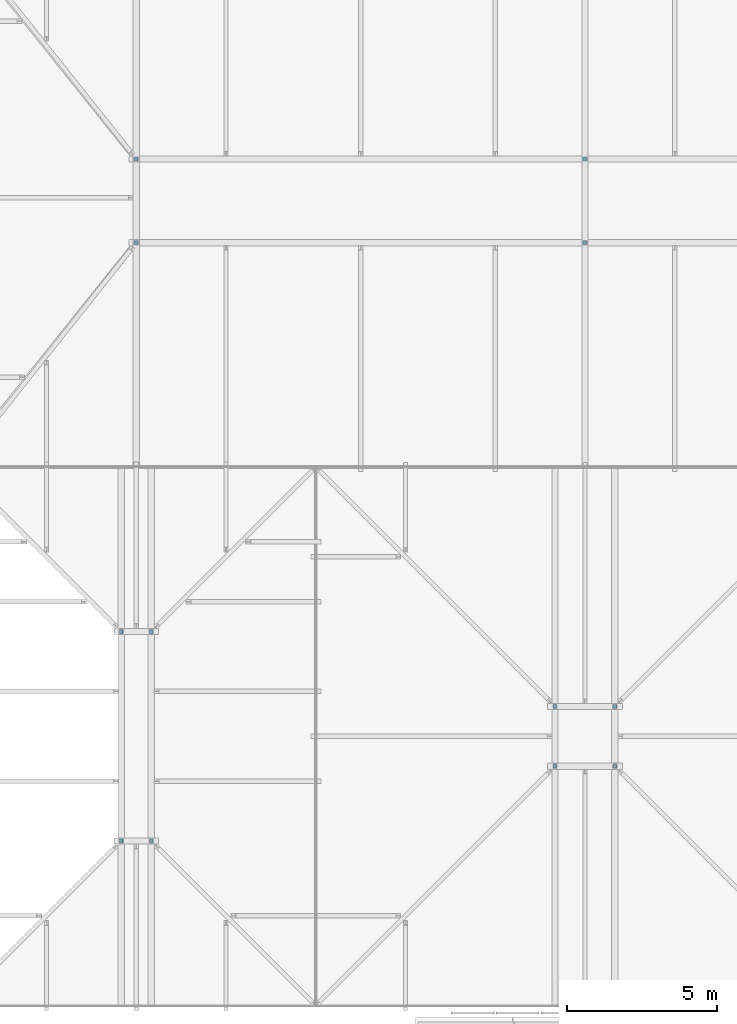
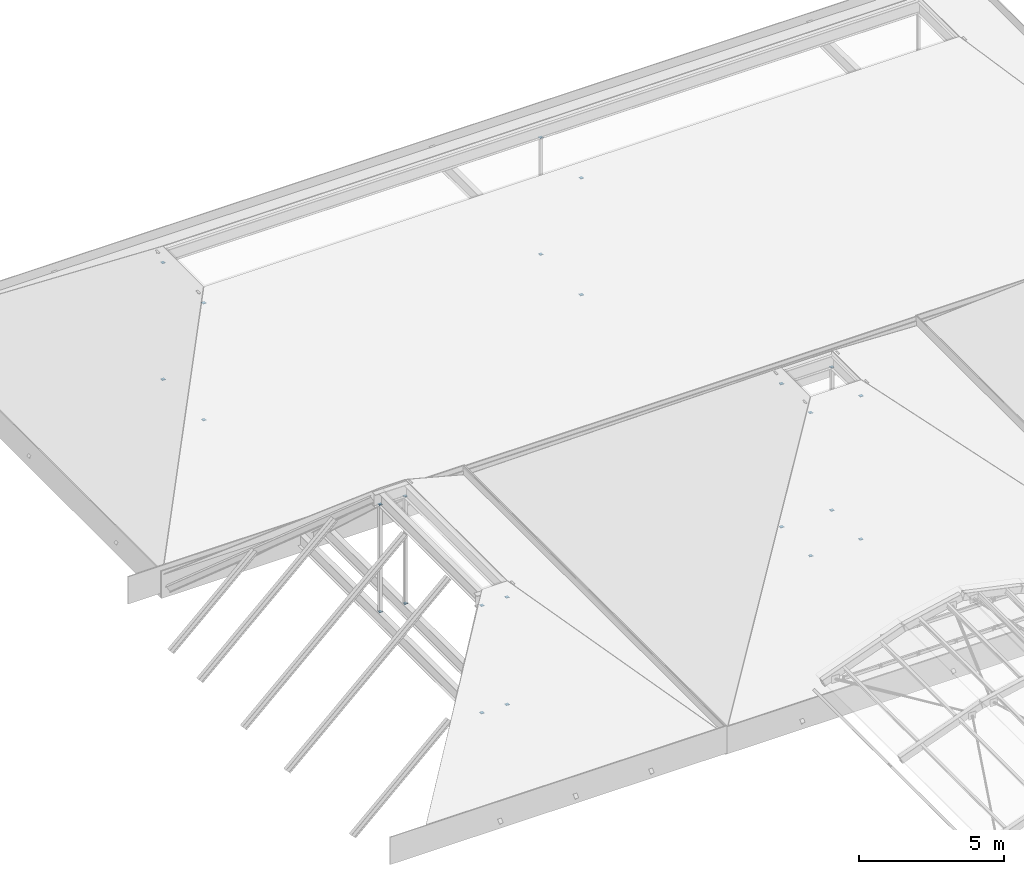
# One storey, part 54 of 57: 24 discrete accessories.
"""IFC4 building model written with IfcOpenShell, lengths in metres."""

import ifcopenshell
import ifcopenshell.guid

model = None  # the IFC model being written
_history = None  # IfcOwnerHistory: only IFC2X3 demands one
_inside = {}  # id of a spatial element -> (the spatial element, [elements in it])
_under = {}  # id of a project, library or spatial element -> (it, [spatial elements below it])
_declared = {}  # id of a project -> (the project, [libraries it declares])
_typed = {}  # id of a type object -> (the type object, [elements of that type])
_made_of = {}  # id of a material, layer set ... -> (it, [elements and type objects made of it])


def new_model(schema):
    """Start an empty IFC model of exactly this schema.

    Asked for "IFC4X3", IfcOpenShell would pick the latest addendum, in which some entities
    have other attributes; the version numbers below select the first issue.
    IFC2X3 requires an IfcOwnerHistory on every rooted entity: one is made here for all.
    """
    global model, _history
    if schema == "IFC4X3":
        model = ifcopenshell.file(schema_version=(4, 3, 0, 0))
    else:
        model = ifcopenshell.file(schema=schema)
    _inside.clear()
    _under.clear()
    _declared.clear()
    _typed.clear()
    _made_of.clear()
    _history = None
    if model.schema == "IFC2X3":
        org = make("IfcOrganization", Name="unknown")
        user = make(
            "IfcPersonAndOrganization",
            ThePerson=make("IfcPerson", FamilyName="unknown"),
            TheOrganization=org,
        )
        app = make(
            "IfcApplication",
            ApplicationDeveloper=org,
            Version="unknown",
            ApplicationFullName="unknown",
            ApplicationIdentifier="unknown",
        )
        _history = make(
            "IfcOwnerHistory",
            OwningUser=user,
            OwningApplication=app,
            ChangeAction="ADDED",
            CreationDate=0,
        )
    return model


def make(cls, **values):
    """One entity of the class cls with the attributes given. An attribute that is None is left unset."""
    return model.create_entity(
        cls, **{name: value for name, value in values.items() if value is not None}
    )


def rooted(cls, **values):
    """An entity with a GlobalId (a new one), such as an element, a storey or a relation."""
    return make(cls, GlobalId=ifcopenshell.guid.new(), OwnerHistory=_history, **values)


def si_unit(unit_type, name, prefix=None):
    """IfcSIUnit, for example si_unit("LENGTHUNIT", "METRE", prefix="MILLI")."""
    return make("IfcSIUnit", UnitType=unit_type, Prefix=prefix, Name=name)


def assignment(units):
    """IfcUnitAssignment: the units of a project."""
    return None if units is None else make("IfcUnitAssignment", Units=units)


def point(xyz):
    """IfcCartesianPoint."""
    return None if xyz is None else make("IfcCartesianPoint", Coordinates=xyz)


def direction(xyz):
    """IfcDirection."""
    return None if xyz is None else make("IfcDirection", DirectionRatios=xyz)


def frame(location, z_axis=None, x_axis=None):
    """IfcAxis2Placement3D, a coordinate frame: its origin and axes. An axis left out is left unset."""
    return make(
        "IfcAxis2Placement3D",
        Location=point(location),
        Axis=direction(z_axis),
        RefDirection=direction(x_axis),
    )


def frame_2d(location, x_axis=None):
    """IfcAxis2Placement2D, a coordinate frame in the plane: its origin and x axis."""
    return make(
        "IfcAxis2Placement2D", Location=point(location), RefDirection=direction(x_axis)
    )


def origin():
    """The frame at (0, 0, 0) with its axes left unset."""
    return frame((0.0, 0.0, 0.0))


def origin_2d():
    """The frame at (0, 0) in the plane with its x axis left unset."""
    return frame_2d((0.0, 0.0))


def place(relative_to, where):
    """IfcLocalPlacement: puts the frame where relative to a parent placement (None: the world)."""
    return make(
        "IfcLocalPlacement", PlacementRelTo=relative_to, RelativePlacement=where
    )


def context(
    kind, dimensions, precision=None, world=None, true_north=None, identifier=None
):
    """IfcGeometricRepresentationContext, for example the 3D "Model" context."""
    return make(
        "IfcGeometricRepresentationContext",
        ContextIdentifier=identifier,
        ContextType=kind,
        CoordinateSpaceDimension=dimensions,
        Precision=precision,
        WorldCoordinateSystem=world,
        TrueNorth=true_north,
    )


def subcontext(parent, identifier, kind, view, scale=None):
    """IfcGeometricRepresentationSubContext, for example "Body" below "Model"."""
    return make(
        "IfcGeometricRepresentationSubContext",
        ContextIdentifier=identifier,
        ContextType=kind,
        ParentContext=parent,
        TargetScale=scale,
        TargetView=view,
    )


def project(units=None, contexts=None):
    """IfcProject with its units and contexts."""
    return rooted(
        "IfcProject",
        Name="project",
        RepresentationContexts=contexts,
        UnitsInContext=assignment(units),
    )


def spatial(cls, under=None, at=None, **own):
    """A site, building, storey or space (cls), placed at a placement, below another one or the project."""
    s = rooted(cls, ObjectPlacement=at, **own)
    if under is not None:
        _under.setdefault(under.id(), (under, []))[1].append(s)
    return s


def profile(cls, at=None, kind="AREA", **sizes):
    """A parametric profile (cls). Its sizes go by their IFC names, for example OverallWidth=200.0."""
    return make(cls, ProfileType=kind, Position=at, **sizes)


def rectangle(**sizes):
    """IfcRectangleProfileDef."""
    return profile("IfcRectangleProfileDef", **sizes)


def extrude(swept, where, along, depth):
    """IfcExtrudedAreaSolid: the profile swept, set in the frame where, extruded along a direction by depth."""
    return make(
        "IfcExtrudedAreaSolid",
        SweptArea=swept,
        Position=where,
        ExtrudedDirection=direction(along),
        Depth=depth,
    )


def shape(context_of_items, identifier, shape_type, items):
    """IfcShapeRepresentation: the items that make up one representation, for example the "Body"."""
    return make(
        "IfcShapeRepresentation",
        ContextOfItems=context_of_items,
        RepresentationIdentifier=identifier,
        RepresentationType=shape_type,
        Items=items,
    )


def material(Name=None, Category=None):
    """IfcMaterial."""
    return make("IfcMaterial", Name=Name, Category=Category)


def material_profile(
    of_material, cross_section, Name=None, Category=None, Priority=None
):
    """IfcMaterialProfile: a cross section and its material."""
    return make(
        "IfcMaterialProfile",
        Name=Name,
        Material=of_material,
        Profile=cross_section,
        Priority=Priority,
        Category=Category,
    )


def profile_set(profiles, Name=None, composite=None):
    """IfcMaterialProfileSet."""
    return make(
        "IfcMaterialProfileSet",
        Name=Name,
        MaterialProfiles=profiles,
        CompositeProfile=composite,
    )


def made_of(thing, what):
    """Note that an element or type object is made of a material, layer set ...; save() writes the relation."""
    if what is not None:
        _made_of.setdefault(what.id(), (what, []))[1].append(thing)
    return thing


def type_object(cls, material=None, **own):
    """A type object (cls), such as IfcWallType, which elements share."""
    return made_of(rooted(cls, **own), material)


def element(
    cls,
    number,
    at=None,
    inside=None,
    cuts=None,
    type_object=None,
    material=None,
    context=None,
    identifier="Body",
    shape_type=None,
    held_by="IfcProductDefinitionShape",
    body=None,
    shapes=None,
    **own,
):
    """One element of the class cls, such as IfcWall. Its Tag is "e" and its number.

    at: its placement. inside: the storey or other place that contains it. cuts: it is an
    opening in that element (IfcRelVoidsElement). A single representation is given by context,
    identifier, shape_type and body (its items); several are given by shapes. held_by: the class
    of the entity that holds the representations. save() writes the other relations.
    """
    e = rooted(cls, Tag="e%d" % number, ObjectPlacement=at, **own)
    if body is not None:
        shapes = [shape(context, identifier, shape_type, body)]
    if shapes is not None:
        e.Representation = make(held_by, Representations=shapes)
    if inside is not None:
        _inside.setdefault(inside.id(), (inside, []))[1].append(e)
    if cuts is not None:
        rooted(
            "IfcRelVoidsElement", RelatingBuildingElement=cuts, RelatedOpeningElement=e
        )
    if type_object is not None:
        _typed.setdefault(type_object.id(), (type_object, []))[1].append(e)
    return made_of(e, material)


def aggregate(whole, parts):
    """IfcRelAggregates: a whole, such as a stair, and the parts it consists of."""
    return rooted("IfcRelAggregates", RelatingObject=whole, RelatedObjects=parts)


def save(model, path):
    """Write the relations noted so far, then the file.

    IfcRelAggregates (storeys below a building ...), IfcRelContainedInSpatialStructure (elements
    in a storey), IfcRelDefinesByType, IfcRelAssociatesMaterial and IfcRelDeclares: one each for
    every whole, place, type object, material and project.
    """
    for whole, parts in _under.values():
        aggregate(whole, parts)
    for where, things in _inside.values():
        rooted(
            "IfcRelContainedInSpatialStructure",
            RelatedElements=things,
            RelatingStructure=where,
        )
    for kind, things in _typed.values():
        rooted("IfcRelDefinesByType", RelatedObjects=things, RelatingType=kind)
    for what, things in _made_of.values():
        rooted("IfcRelAssociatesMaterial", RelatedObjects=things, RelatingMaterial=what)
    for by, libraries in _declared.values():
        rooted("IfcRelDeclares", RelatingContext=by, RelatedDefinitions=libraries)
    model.write(path)


model = new_model("IFC4")

# Units and contexts
model_context = context("Model", 3, precision=1e-05, world=origin(), true_north=direction((0.0, 1.0)))
body_context = subcontext(model_context, "Body", "Model", "MODEL_VIEW")
ifc_project = project(units=[si_unit("LENGTHUNIT", "METRE"), si_unit("AREAUNIT", "SQUARE_METRE"), si_unit("VOLUMEUNIT", "CUBIC_METRE"), si_unit("PLANEANGLEUNIT", "RADIAN"), si_unit("MASSUNIT", "GRAM", prefix="KILO")], contexts=[model_context])

# Site, building, storey
site_placement = place(None, origin())
site = spatial("IfcSite", under=ifc_project, at=site_placement, CompositionType="ELEMENT")
building_placement = place(site_placement, origin())
building = spatial("IfcBuilding", under=site, at=building_placement, Name="Saffron Lane Theatres", CompositionType="ELEMENT")
storey_placement = place(building_placement, frame((0.0, 0.0, 28.0)))
storey = spatial("IfcBuildingStorey", under=building, at=storey_placement, Name="Upper Roof", CompositionType="ELEMENT", Elevation=28.0)

# Discrete accessories
ifc_material = material(Name="Steel Grade 350", Category="steel")
ifc_material_profile = material_profile(ifc_material, rectangle(XDim=0.125, YDim=0.125, at=origin_2d()))
ifc_profile_set = profile_set([ifc_material_profile], Name="Steel Grade 350")
discrete_accessory_type = type_object("IfcDiscreteAccessoryType", Name="ST-STEEL END CAP 125x125x6 SHS", PredefinedType="ANCHORPLATE", material=ifc_profile_set)
for number, where, z_axis, x_axis, name in (
    (1, (17.5, 95.5, 0.52099609375), (0.0, 0.0, 1.0), (1.0, 0.0, 0.0), "EC293"),
    (2, (17.5, 95.5, 5.028076171875), (0.0, 0.0, 1.0), (1.0, 0.0, 0.0), "EC294"),
    (3, (17.5, 102.5, 0.52099609375), (0.0, 0.0, 1.0), (1.0, 0.0, 0.0), "EC295"),
    (4, (17.5, 102.5, 5.028076171875), (0.0, 0.0, 1.0), (1.0, 0.0, 0.0), "EC296"),
    (5, (18.5, 95.5, 0.52099609375), (0.0, 0.0, 1.0), (1.0, 0.0, 0.0), "EC297"),
    (6, (18.5, 95.5, 5.028076171875), (0.0, 0.0, 1.0), (1.0, 0.0, 0.0), "EC298"),
    (7, (18.5, 102.5, 0.52099609375), (0.0, 0.0, 1.0), (1.0, 0.0, 0.0), "EC299"),
    (8, (18.5, 102.5, 5.028076171875), (0.0, 0.0, 1.0), (1.0, 0.0, 0.0), "EC300"),
    (9, (32.0, 98.0, 0.52099609375), (0.0, 0.0, 1.0), (1.0, 0.0, 0.0), "EC301"),
    (10, (32.0, 98.0, 6.534423828125), (0.0, 0.0, 1.0), (1.0, 0.0, 0.0), "EC302"),
    (11, (32.0, 100.0, 0.52099609375), (0.0, 0.0, 1.0), (1.0, 0.0, 0.0), "EC303"),
    (12, (32.0, 100.0, 6.534423828125), (0.0, 0.0, 1.0), (1.0, 0.0, 0.0), "EC304"),
    (13, (34.0, 98.0, 0.52099609375), (0.0, 0.0, 1.0), (1.0, 0.0, 0.0), "EC305"),
    (14, (34.0, 98.0, 6.534423828125), (0.0, 0.0, 1.0), (1.0, 0.0, 0.0), "EC306"),
    (15, (34.0, 100.0, 0.52099609375), (0.0, 0.0, 1.0), (1.0, 0.0, 0.0), "EC307"),
    (16, (34.0, 100.0, 6.534423828125), (0.0, 0.0, 1.0), (1.0, 0.0, 0.0), "EC308"),
    (17, (18.0, 115.5, 0.52099609375), (0.0, 0.0, 1.0), (1.0, 0.0, 0.0), "EC317"),
    (18, (18.0, 115.5, 5.426513671875), (0.0, 0.0, 1.0), (1.0, 0.0, 0.0), "EC318"),
    (19, (18.0, 118.300048828125, 0.52099609375), (0.0, 0.0, 1.0), (1.0, 0.0, 0.0), "EC319"),
    (20, (18.0, 118.300048828125, 5.426513671875), (0.0, 0.0, 1.0), (1.0, 0.0, 0.0), "EC320"),
    (21, (33.0, 115.5, 0.52099609375), (0.0, 0.0, 1.0), (1.0, 0.0, 0.0), "EC325"),
    (22, (33.0, 115.5, 5.426513671875), (0.0, 0.0, 1.0), (1.0, 0.0, 0.0), "EC326"),
    (23, (33.0, 118.300048828125, 0.52099609375), (0.0, 0.0, 1.0), (1.0, 0.0, 0.0), "EC327"),
    (24, (33.0, 118.300048828125, 5.426513671875), (0.0, 0.0, 1.0), (1.0, 0.0, 0.0), "EC328"),
):
    element("IfcDiscreteAccessory", number, at=place(storey_placement, frame(where, z_axis=z_axis, x_axis=x_axis)), inside=storey, type_object=discrete_accessory_type, Name=name, PredefinedType="ANCHORPLATE", context=body_context, shape_type="SweptSolid", body=[
        extrude(rectangle(XDim=0.125, YDim=0.125, at=origin_2d()), origin(), (0.0, 0.0, 1.0), 0.011962890625),
    ])

save(model, "model.ifc")
